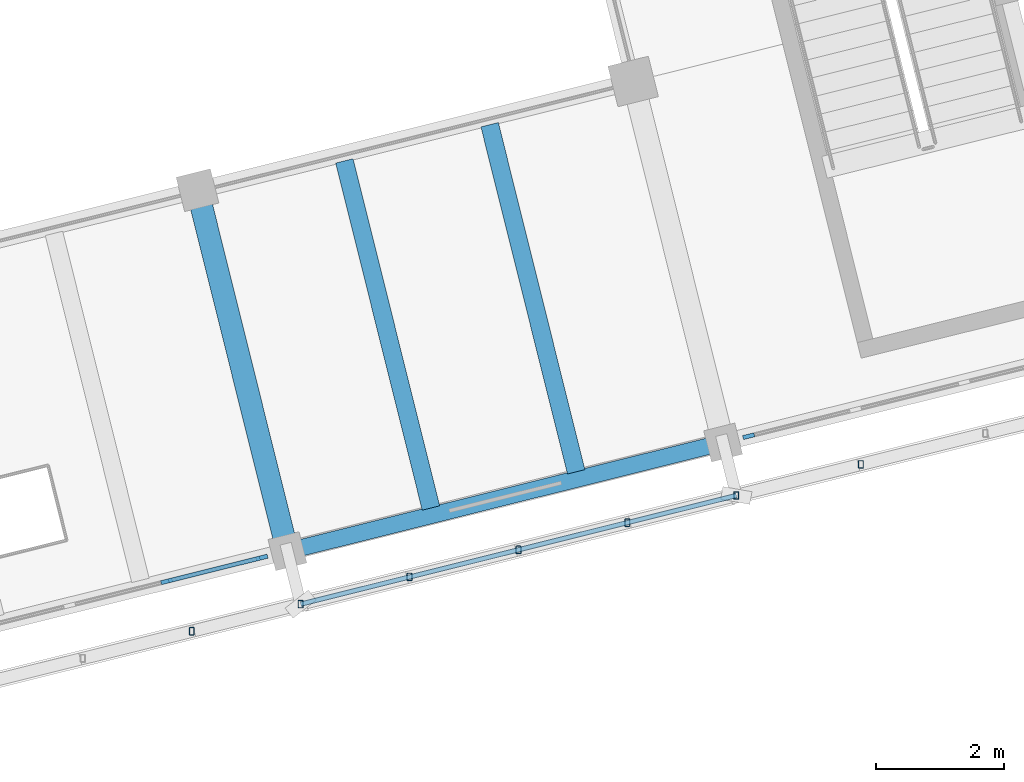
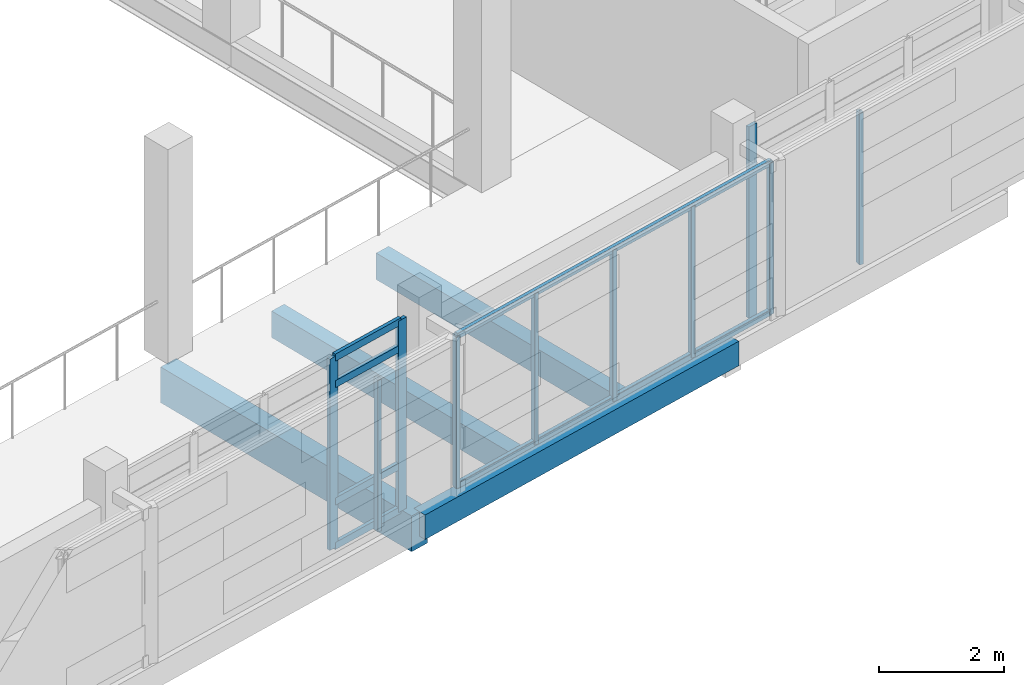
# One storey, part 10 of 137: 16 members, 4 beams, 2 elements without a shape of their own.
"""IFC4 building model written with IfcOpenShell, lengths in metres."""

from ifc_helpers import new_model, si_unit, direction, frame, origin, origin_2d, place, context, subcontext, project, spatial, rectangle, hollow_rectangle, extrude, material, material_profile, profile_set, type_object, element, aggregate, save


model = new_model("IFC4")

# Units and contexts
model_context = context("Model", 3, precision=1e-05, world=origin(), true_north=direction((0.0, 1.0)))
body_context = subcontext(model_context, "Body", "Model", "MODEL_VIEW")
ifc_project = project(units=[si_unit("LENGTHUNIT", "METRE"), si_unit("AREAUNIT", "SQUARE_METRE"), si_unit("VOLUMEUNIT", "CUBIC_METRE"), si_unit("PLANEANGLEUNIT", "RADIAN"), si_unit("MASSUNIT", "GRAM", prefix="KILO")], contexts=[model_context])

# Site, building, storey
site_placement = place(None, origin())
site = spatial("IfcSite", under=ifc_project, at=site_placement, CompositionType="ELEMENT")
building_placement = place(site_placement, origin())
building = spatial("IfcBuilding", under=site, at=building_placement, Name="Cinderway Yard Community Centre", CompositionType="ELEMENT")
storey_placement = place(building_placement, frame((0.0, 0.0, 4.800048828125)))
storey = spatial("IfcBuildingStorey", under=building, at=storey_placement, Name="L01", CompositionType="ELEMENT", Elevation=4.800048828125)

# Curtain wall, members
ifc_material_1 = material(Name="Aluminium 6063-T6", Category="aluminium")
curtain_wall_type_1 = type_object("IfcCurtainWallType", Name="ENV-CW-TYPE-05", PredefinedType="USERDEFINED", material=ifc_material_1)
curtain_wall_1_placement = place(storey_placement, origin())
curtain_wall_1 = element("IfcCurtainWall", 1, at=curtain_wall_1_placement, inside=storey, type_object=curtain_wall_type_1, Name="Sanctuary South Curtain Wall ENV-CW-L01-HS-0017", ObjectType="GLAZED CURTAIN WALL", PredefinedType="USERDEFINED")
ifc_material_profile_1 = material_profile(ifc_material_1, rectangle(XDim=0.06494140625, YDim=0.179931640625, at=origin_2d()), Name="Aluminium 6063-T6")
ifc_profile_set_1 = profile_set([ifc_material_profile_1], Name="Aluminium 6063-T6")
member_type_1 = type_object("IfcMemberType", Name="ENV-CW-MULL-180", PredefinedType="MULLION", material=ifc_profile_set_1)
member_1_placement = place(storey_placement, frame((39.70654296875, 24.099853515625, 0.0), z_axis=(0.0, 0.0, 1.0), x_axis=(-0.241856748919, 0.970311966845, 0.0)))
member_1 = element("IfcMember", 2, at=member_1_placement, type_object=member_type_1, Name="CW-05 mullion 4", PredefinedType="MULLION", context=body_context, shape_type="SweptSolid", body=[
    extrude(rectangle(XDim=0.06494140625, YDim=0.179931640625, at=origin_2d()), origin(), (0.0, 0.0, 1.0), 3.75),
])
member_2_placement = place(storey_placement, frame((41.19091796875, 24.4697265625, 0.0), z_axis=(0.0, 0.0, 1.0), x_axis=(-0.241856748919, 0.970311966845, 0.0)))
member_2 = element("IfcMember", 3, at=member_2_placement, type_object=member_type_1, Name="CW-05 mullion 5", PredefinedType="MULLION", context=body_context, shape_type="SweptSolid", body=[
    extrude(rectangle(XDim=0.06494140625, YDim=0.179931640625, at=origin_2d()), origin(), (0.0, 0.0, 1.0), 3.75),
])

# Curtain wall, member
curtain_wall_type_2 = type_object("IfcCurtainWallType", Name="ENV-CW-TYPE-06", PredefinedType="USERDEFINED", material=ifc_material_1)
curtain_wall_2_placement = place(storey_placement, origin())
curtain_wall_2 = element("IfcCurtainWall", 4, at=curtain_wall_2_placement, inside=storey, type_object=curtain_wall_type_2, Name="Sanctuary South Curtain Wall ENV-CW-L01-HS-0018", ObjectType="GLAZED CURTAIN WALL", PredefinedType="USERDEFINED")
member_3_placement = place(storey_placement, frame((48.779052734375, 26.3623046875, 0.0), z_axis=(0.0, 0.0, 1.0), x_axis=(-0.241817034428, 0.970321865084, 0.0)))
member_3 = element("IfcMember", 5, at=member_3_placement, type_object=member_type_1, Name="CW-06 mullion 1", PredefinedType="MULLION", context=body_context, shape_type="SweptSolid", body=[
    extrude(rectangle(XDim=0.06494140625, YDim=0.179931640625, at=origin_2d()), origin(), (0.0, 0.0, 1.0), 3.75),
])
aggregate(curtain_wall_2, [member_3])

# Member
ifc_material_profile_2 = material_profile(ifc_material_1, rectangle(XDim=0.06494140625, YDim=0.139892578125, at=origin_2d()), Name="Aluminium 6063-T6")
ifc_profile_set_2 = profile_set([ifc_material_profile_2], Name="Aluminium 6063-T6")
member_type_2 = type_object("IfcMemberType", Name="ENV-CW-TRAN-140", PredefinedType="USERDEFINED", material=ifc_profile_set_2)
member_4_placement = place(storey_placement, frame((39.735595703125, 24.10693359375, 0.030029296875), z_axis=(0.970318108791, 0.241832106539, 0.0), x_axis=(-0.241832106539, 0.970318108791, 0.0)))
member_4 = element("IfcMember", 6, at=member_4_placement, type_object=member_type_2, Name="CW-05 transom 4.1", ObjectType="TRANSOM", PredefinedType="USERDEFINED", context=body_context, shape_type="SweptSolid", body=[
    extrude(rectangle(XDim=0.06494140625, YDim=0.139892578125, at=origin_2d()), origin(), (0.0, 0.0, 1.0), 1.469970703125),
])

member_5_placement = place(storey_placement, frame((39.735595703125, 24.10693359375, 0.89990234375), z_axis=(0.970318108791, 0.241832106539, 0.0), x_axis=(-0.241832106539, 0.970318108791, 0.0)))
member_5 = element("IfcMember", 7, at=member_5_placement, type_object=member_type_2, Name="CW-05 transom 4.2", ObjectType="TRANSOM", PredefinedType="USERDEFINED", context=body_context, shape_type="SweptSolid", body=[
    extrude(rectangle(XDim=0.06494140625, YDim=0.139892578125, at=origin_2d()), origin(), (0.0, 0.0, 1.0), 1.469970703125),
])

member_6_placement = place(storey_placement, frame((39.735595703125, 24.10693359375, 3.199951171875), z_axis=(0.970318108791, 0.241832106539, 0.0), x_axis=(-0.241832106539, 0.970318108791, 0.0)))
member_6 = element("IfcMember", 8, at=member_6_placement, type_object=member_type_2, Name="CW-05 transom 4.3", ObjectType="TRANSOM", PredefinedType="USERDEFINED", context=body_context, shape_type="SweptSolid", body=[
    extrude(rectangle(XDim=0.06494140625, YDim=0.139892578125, at=origin_2d()), origin(), (0.0, 0.0, 1.0), 1.469970703125),
])

member_7_placement = place(storey_placement, frame((39.735595703125, 24.10693359375, 3.719970703125), z_axis=(0.970318108791, 0.241832106539, 0.0), x_axis=(-0.241832106539, 0.970318108791, 0.0)))
member_7 = element("IfcMember", 9, at=member_7_placement, type_object=member_type_2, Name="CW-05 transom 4.4", ObjectType="TRANSOM", PredefinedType="USERDEFINED", context=body_context, shape_type="SweptSolid", body=[
    extrude(rectangle(XDim=0.06494140625, YDim=0.139892578125, at=origin_2d()), origin(), (0.0, 0.0, 1.0), 1.469970703125),
])

aggregate(curtain_wall_1, [member_1, member_2, member_4, member_5, member_6, member_7])

# Members
ifc_material_2 = material(Name="Steel S355", Category="steel")
ifc_material_profile_3 = material_profile(ifc_material_2, hollow_rectangle(XDim=0.080078125, YDim=0.1201171875, WallThickness=0.00634765625, InnerFilletRadius=0.00634765625, OuterFilletRadius=0.0126953125, at=origin_2d()), Name="Steel S355")
ifc_profile_set_3 = profile_set([ifc_material_profile_3], Name="Steel S355")
member_type_3 = type_object("IfcMemberType", Name="ENV-MEM-SCREEN-RAIL-120", PredefinedType="STRINGER", material=ifc_profile_set_3)
for number, where, z_axis, x_axis, name in (
    (10, (40.096923828125, 23.321044921875, 0.68994140625), (0.0, 0.0, 1.0), (1.0, 0.0, 0.0), "Screen vertical mullion 0838"),
    (11, (41.794921875, 23.743896484375, 0.68994140625), (0.0, 0.0, 1.0), (1.0, 0.0, 0.0), "Screen vertical mullion 0839"),
):
    element("IfcMember", number, at=place(storey_placement, frame(where, z_axis=z_axis, x_axis=x_axis)), inside=storey, type_object=member_type_3, Name=name, PredefinedType="STRINGER", context=body_context, shape_type="SweptSolid", body=[
        extrude(hollow_rectangle(XDim=0.080078125, YDim=0.1201171875, WallThickness=0.00634765625, InnerFilletRadius=0.00634765625, OuterFilletRadius=0.0126953125, at=origin_2d()), origin(), (0.0, 0.0, 1.0), 2.969970703125),
    ])
for number, where, z_axis, x_axis, name in (
    (12, (41.794921875, 23.743896484375, 0.7099609375), (0.970273659022, 0.242010385333, 0.0), (-0.242010385333, 0.970273659022, 0.0), "Screen support rail 0841-BOT"),
    (13, (41.794921875, 23.743896484375, 3.639892578125), (0.970273659022, 0.242010385333, 0.0), (-0.242010385333, 0.970273659022, 0.0), "Screen support rail 0842-TOP"),
):
    element("IfcMember", number, at=place(storey_placement, frame(where, z_axis=z_axis, x_axis=x_axis)), inside=storey, type_object=member_type_3, Name=name, PredefinedType="STRINGER", context=body_context, shape_type="SweptSolid", body=[
        extrude(hollow_rectangle(XDim=0.080078125, YDim=0.1201171875, WallThickness=0.00634765625, InnerFilletRadius=0.00634765625, OuterFilletRadius=0.0126953125, at=origin_2d()), origin(), (0.0, 0.0, 1.0), 7.0),
    ])
for number, where, z_axis, x_axis, name in (
    (14, (43.492919921875, 24.16796875, 0.68994140625), (0.0, 0.0, 1.0), (1.0, 0.0, 0.0), "Screen vertical mullion 0843"),
    (15, (45.19091796875, 24.591064453125, 0.68994140625), (0.0, 0.0, 1.0), (1.0, 0.0, 0.0), "Screen vertical mullion 0844"),
    (16, (46.888916015625, 25.013916015625, 0.68994140625), (0.0, 0.0, 1.0), (1.0, 0.0, 0.0), "Screen vertical mullion 0845"),
    (17, (48.5869140625, 25.43798828125, 0.68994140625), (0.0, 0.0, 1.0), (1.0, 0.0, 0.0), "Screen vertical mullion 0846"),
    (18, (50.528076171875, 25.922119140625, 0.68994140625), (0.0, 0.0, 1.0), (1.0, 0.0, 0.0), "Screen vertical mullion 0850"),
):
    element("IfcMember", number, at=place(storey_placement, frame(where, z_axis=z_axis, x_axis=x_axis)), inside=storey, type_object=member_type_3, Name=name, PredefinedType="STRINGER", context=body_context, shape_type="SweptSolid", body=[
        extrude(hollow_rectangle(XDim=0.080078125, YDim=0.1201171875, WallThickness=0.00634765625, InnerFilletRadius=0.00634765625, OuterFilletRadius=0.0126953125, at=origin_2d()), origin(), (0.0, 0.0, 1.0), 2.969970703125),
    ])

# Beams
ifc_material_3 = material(Name="Concrete C40/50", Category="concrete")
ifc_material_profile_4 = material_profile(ifc_material_3, rectangle(XDim=0.260009765625, YDim=0.47998046875, at=origin_2d()), Name="Concrete C40/50")
ifc_profile_set_4 = profile_set([ifc_material_profile_4], Name="Concrete C40/50")
beam_type_1 = type_object("IfcBeamType", Name="STR-BM-RC260X480", PredefinedType="SPANDREL", material=ifc_profile_set_4)
beam_1_placement = place(storey_placement, frame((41.589111328125, 24.569091796875, -0.47998046875), z_axis=(0.970281848186, 0.24197755078, 0.0), x_axis=(-0.24197755078, 0.970281848186, 0.0)))
element("IfcBeam", 19, at=beam_1_placement, inside=storey, type_object=beam_type_1, Name="Primary girder STR-BM-L01-SP01-0003", PredefinedType="SPANDREL", context=body_context, shape_type="SweptSolid", body=[
    extrude(rectangle(XDim=0.260009765625, YDim=0.47998046875, at=origin_2d()), origin(), (0.0, 0.0, 1.0), 7.0),
])
ifc_material_4 = material(Name="Concrete C35/45", Category="concrete")
ifc_material_profile_5 = material_profile(ifc_material_4, rectangle(XDim=0.280029296875, YDim=0.52001953125, at=origin_2d()), Name="Concrete C35/45")
ifc_profile_set_5 = profile_set([ifc_material_profile_5], Name="Concrete C35/45")
beam_type_2 = type_object("IfcBeamType", Name="STR-BM-RC280X520", PredefinedType="JOIST", material=ifc_profile_set_5)
beam_2_placement = place(storey_placement, frame((43.825927734375, 25.242919921875, -0.5), z_axis=(-0.241917421093, 0.970296841885, 0.0), x_axis=(-0.970296841885, -0.241917421093, 0.0)))
element("IfcBeam", 20, at=beam_2_placement, inside=storey, type_object=beam_type_2, Name="Secondary joist STR-BM-L01-BJ04-0017", PredefinedType="JOIST", context=body_context, shape_type="SweptSolid", body=[
    extrude(rectangle(XDim=0.280029296875, YDim=0.52001953125, at=origin_2d()), origin(), (0.0, 0.0, 1.0), 5.57568359375),
])
beam_3_placement = place(storey_placement, frame((46.090087890625, 25.806884765625, -0.5), z_axis=(-0.241917532688, 0.970296814062, 0.0), x_axis=(-0.970296814062, -0.241917532688, 0.0)))
element("IfcBeam", 21, at=beam_3_placement, inside=storey, type_object=beam_type_2, Name="Secondary joist STR-BM-L01-BJ04-0018", PredefinedType="JOIST", context=body_context, shape_type="SweptSolid", body=[
    extrude(rectangle(XDim=0.280029296875, YDim=0.52001953125, at=origin_2d()), origin(), (0.0, 0.0, 1.0), 5.57666015625),
])
ifc_material_profile_6 = material_profile(ifc_material_4, rectangle(XDim=0.35009765625, YDim=0.699951171875, at=origin_2d()), Name="Concrete C35/45")
ifc_profile_set_6 = profile_set([ifc_material_profile_6], Name="Concrete C35/45")
beam_type_3 = type_object("IfcBeamType", Name="STR-BM-RC350X700", PredefinedType="BEAM", material=ifc_profile_set_6)
beam_4_placement = place(storey_placement, frame((41.589111328125, 24.569091796875, -0.590087890625), z_axis=(-0.2419017199, 0.97030075642, 0.0), x_axis=(-0.97030075642, -0.2419017199, 0.0)))
element("IfcBeam", 22, at=beam_4_placement, inside=storey, type_object=beam_type_3, Name="Transverse girder STR-BM-L01-BG07-0010", PredefinedType="BEAM", context=body_context, shape_type="SweptSolid", body=[
    extrude(rectangle(XDim=0.35009765625, YDim=0.699951171875, at=origin_2d()), origin(), (0.0, 0.0, 1.0), 5.80029296875),
])

save(model, "model.ifc")
